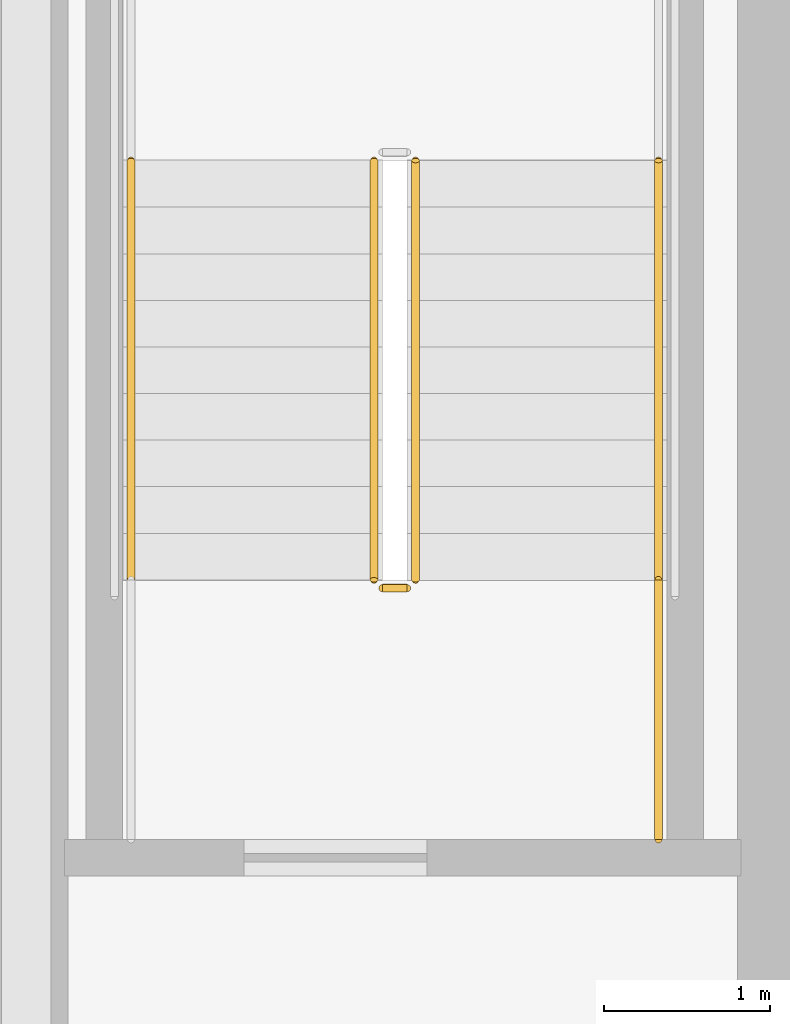
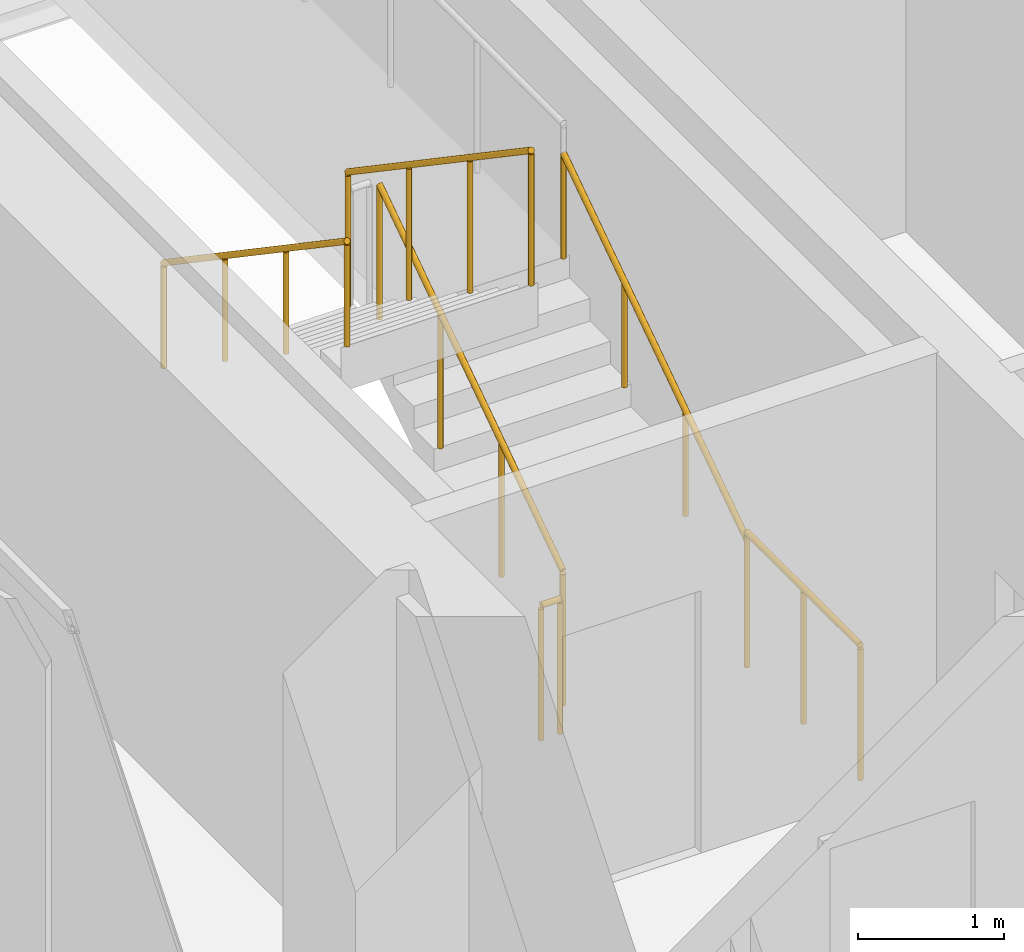
# One storey, part 14 of 17: 6 railings.
"""IFC4 building model written with IfcOpenShell, lengths in metres."""

import ifcopenshell
import ifcopenshell.guid

model = None  # the IFC model being written
_history = None  # IfcOwnerHistory: only IFC2X3 demands one
_inside = {}  # id of a spatial element -> (the spatial element, [elements in it])
_under = {}  # id of a project, library or spatial element -> (it, [spatial elements below it])
_declared = {}  # id of a project -> (the project, [libraries it declares])
_typed = {}  # id of a type object -> (the type object, [elements of that type])
_made_of = {}  # id of a material, layer set ... -> (it, [elements and type objects made of it])


def new_model(schema):
    """Start an empty IFC model of exactly this schema.

    Asked for "IFC4X3", IfcOpenShell would pick the latest addendum, in which some entities
    have other attributes; the version numbers below select the first issue.
    IFC2X3 requires an IfcOwnerHistory on every rooted entity: one is made here for all.
    """
    global model, _history
    if schema == "IFC4X3":
        model = ifcopenshell.file(schema_version=(4, 3, 0, 0))
    else:
        model = ifcopenshell.file(schema=schema)
    _inside.clear()
    _under.clear()
    _declared.clear()
    _typed.clear()
    _made_of.clear()
    _history = None
    if model.schema == "IFC2X3":
        org = make("IfcOrganization", Name="unknown")
        user = make(
            "IfcPersonAndOrganization",
            ThePerson=make("IfcPerson", FamilyName="unknown"),
            TheOrganization=org,
        )
        app = make(
            "IfcApplication",
            ApplicationDeveloper=org,
            Version="unknown",
            ApplicationFullName="unknown",
            ApplicationIdentifier="unknown",
        )
        _history = make(
            "IfcOwnerHistory",
            OwningUser=user,
            OwningApplication=app,
            ChangeAction="ADDED",
            CreationDate=0,
        )
    return model


def make(cls, **values):
    """One entity of the class cls with the attributes given. An attribute that is None is left unset."""
    return model.create_entity(
        cls, **{name: value for name, value in values.items() if value is not None}
    )


def rooted(cls, **values):
    """An entity with a GlobalId (a new one), such as an element, a storey or a relation."""
    return make(cls, GlobalId=ifcopenshell.guid.new(), OwnerHistory=_history, **values)


def si_unit(unit_type, name, prefix=None):
    """IfcSIUnit, for example si_unit("LENGTHUNIT", "METRE", prefix="MILLI")."""
    return make("IfcSIUnit", UnitType=unit_type, Prefix=prefix, Name=name)


def assignment(units):
    """IfcUnitAssignment: the units of a project."""
    return None if units is None else make("IfcUnitAssignment", Units=units)


def point(xyz):
    """IfcCartesianPoint."""
    return None if xyz is None else make("IfcCartesianPoint", Coordinates=xyz)


def direction(xyz):
    """IfcDirection."""
    return None if xyz is None else make("IfcDirection", DirectionRatios=xyz)


def frame(location, z_axis=None, x_axis=None):
    """IfcAxis2Placement3D, a coordinate frame: its origin and axes. An axis left out is left unset."""
    return make(
        "IfcAxis2Placement3D",
        Location=point(location),
        Axis=direction(z_axis),
        RefDirection=direction(x_axis),
    )


def frame_2d(location, x_axis=None):
    """IfcAxis2Placement2D, a coordinate frame in the plane: its origin and x axis."""
    return make(
        "IfcAxis2Placement2D", Location=point(location), RefDirection=direction(x_axis)
    )


def origin():
    """The frame at (0, 0, 0) with its axes left unset."""
    return frame((0.0, 0.0, 0.0))


def origin_2d():
    """The frame at (0, 0) in the plane with its x axis left unset."""
    return frame_2d((0.0, 0.0))


def place(relative_to, where):
    """IfcLocalPlacement: puts the frame where relative to a parent placement (None: the world)."""
    return make(
        "IfcLocalPlacement", PlacementRelTo=relative_to, RelativePlacement=where
    )


def context(
    kind, dimensions, precision=None, world=None, true_north=None, identifier=None
):
    """IfcGeometricRepresentationContext, for example the 3D "Model" context."""
    return make(
        "IfcGeometricRepresentationContext",
        ContextIdentifier=identifier,
        ContextType=kind,
        CoordinateSpaceDimension=dimensions,
        Precision=precision,
        WorldCoordinateSystem=world,
        TrueNorth=true_north,
    )


def subcontext(parent, identifier, kind, view, scale=None):
    """IfcGeometricRepresentationSubContext, for example "Body" below "Model"."""
    return make(
        "IfcGeometricRepresentationSubContext",
        ContextIdentifier=identifier,
        ContextType=kind,
        ParentContext=parent,
        TargetScale=scale,
        TargetView=view,
    )


def project(units=None, contexts=None):
    """IfcProject with its units and contexts."""
    return rooted(
        "IfcProject",
        Name="project",
        RepresentationContexts=contexts,
        UnitsInContext=assignment(units),
    )


def spatial(cls, under=None, at=None, **own):
    """A site, building, storey or space (cls), placed at a placement, below another one or the project."""
    s = rooted(cls, ObjectPlacement=at, **own)
    if under is not None:
        _under.setdefault(under.id(), (under, []))[1].append(s)
    return s


def profile(cls, at=None, kind="AREA", **sizes):
    """A parametric profile (cls). Its sizes go by their IFC names, for example OverallWidth=200.0."""
    return make(cls, ProfileType=kind, Position=at, **sizes)


def circle(**sizes):
    """IfcCircleProfileDef."""
    return profile("IfcCircleProfileDef", **sizes)


def extrude(swept, where, along, depth):
    """IfcExtrudedAreaSolid: the profile swept, set in the frame where, extruded along a direction by depth."""
    return make(
        "IfcExtrudedAreaSolid",
        SweptArea=swept,
        Position=where,
        ExtrudedDirection=direction(along),
        Depth=depth,
    )


def shape(context_of_items, identifier, shape_type, items):
    """IfcShapeRepresentation: the items that make up one representation, for example the "Body"."""
    return make(
        "IfcShapeRepresentation",
        ContextOfItems=context_of_items,
        RepresentationIdentifier=identifier,
        RepresentationType=shape_type,
        Items=items,
    )


def material(Name=None, Category=None):
    """IfcMaterial."""
    return make("IfcMaterial", Name=Name, Category=Category)


def made_of(thing, what):
    """Note that an element or type object is made of a material, layer set ...; save() writes the relation."""
    if what is not None:
        _made_of.setdefault(what.id(), (what, []))[1].append(thing)
    return thing


def type_object(cls, material=None, **own):
    """A type object (cls), such as IfcWallType, which elements share."""
    return made_of(rooted(cls, **own), material)


def element(
    cls,
    number,
    at=None,
    inside=None,
    cuts=None,
    type_object=None,
    material=None,
    context=None,
    identifier="Body",
    shape_type=None,
    held_by="IfcProductDefinitionShape",
    body=None,
    shapes=None,
    **own,
):
    """One element of the class cls, such as IfcWall. Its Tag is "e" and its number.

    at: its placement. inside: the storey or other place that contains it. cuts: it is an
    opening in that element (IfcRelVoidsElement). A single representation is given by context,
    identifier, shape_type and body (its items); several are given by shapes. held_by: the class
    of the entity that holds the representations. save() writes the other relations.
    """
    e = rooted(cls, Tag="e%d" % number, ObjectPlacement=at, **own)
    if body is not None:
        shapes = [shape(context, identifier, shape_type, body)]
    if shapes is not None:
        e.Representation = make(held_by, Representations=shapes)
    if inside is not None:
        _inside.setdefault(inside.id(), (inside, []))[1].append(e)
    if cuts is not None:
        rooted(
            "IfcRelVoidsElement", RelatingBuildingElement=cuts, RelatedOpeningElement=e
        )
    if type_object is not None:
        _typed.setdefault(type_object.id(), (type_object, []))[1].append(e)
    return made_of(e, material)


def aggregate(whole, parts):
    """IfcRelAggregates: a whole, such as a stair, and the parts it consists of."""
    return rooted("IfcRelAggregates", RelatingObject=whole, RelatedObjects=parts)


def save(model, path):
    """Write the relations noted so far, then the file.

    IfcRelAggregates (storeys below a building ...), IfcRelContainedInSpatialStructure (elements
    in a storey), IfcRelDefinesByType, IfcRelAssociatesMaterial and IfcRelDeclares: one each for
    every whole, place, type object, material and project.
    """
    for whole, parts in _under.values():
        aggregate(whole, parts)
    for where, things in _inside.values():
        rooted(
            "IfcRelContainedInSpatialStructure",
            RelatedElements=things,
            RelatingStructure=where,
        )
    for kind, things in _typed.values():
        rooted("IfcRelDefinesByType", RelatedObjects=things, RelatingType=kind)
    for what, things in _made_of.values():
        rooted("IfcRelAssociatesMaterial", RelatedObjects=things, RelatingMaterial=what)
    for by, libraries in _declared.values():
        rooted("IfcRelDeclares", RelatingContext=by, RelatedDefinitions=libraries)
    model.write(path)


model = new_model("IFC4")

# Units and contexts
model_context = context("Model", 3, precision=1e-05, world=origin(), true_north=direction((0.0, 1.0)))
body_context = subcontext(model_context, "Body", "Model", "MODEL_VIEW")
ifc_project = project(units=[si_unit("LENGTHUNIT", "METRE"), si_unit("AREAUNIT", "SQUARE_METRE"), si_unit("VOLUMEUNIT", "CUBIC_METRE"), si_unit("PLANEANGLEUNIT", "RADIAN"), si_unit("MASSUNIT", "GRAM", prefix="KILO")], contexts=[model_context])

# Site, building, storey
site_placement = place(None, origin())
site = spatial("IfcSite", under=ifc_project, at=site_placement, CompositionType="ELEMENT")
building_placement = place(site_placement, origin())
building = spatial("IfcBuilding", under=site, at=building_placement, Name="Khairoan Windgate Tower", CompositionType="ELEMENT")
storey_placement = place(building_placement, frame((0.0, 0.0, 165.0)))
storey = spatial("IfcBuildingStorey", under=building, at=storey_placement, Name="L37", CompositionType="ELEMENT", Elevation=165.0)

# Railings
ifc_material_1 = material(Name="Anodised Bronze Aluminium 6063-T6", Category="aluminium")
railing_type_1 = type_object("IfcRailingType", Name="Stair Wall Handrail SHR-900", PredefinedType="HANDRAIL", material=ifc_material_1)
railing_1_placement = place(storey_placement, frame((-16.199951171875, 2.9599609375, 0.18994140625)))
element("IfcRailing", 1, at=railing_1_placement, inside=storey, type_object=railing_type_1, Name="L37 ST2 stair handrail 1", PredefinedType="HANDRAIL", context=body_context, shape_type="SweptSolid", body=[
    extrude(circle(Radius=0.02392578125, at=origin_2d()), frame((0.0, 0.0, 0.8759765625), z_axis=(0.0, 0.827483756001, 0.561489655786), x_axis=(-1.0, 0.0, 0.0)), (0.0, 0.0, 1.0), 3.04541015625),
    extrude(circle(Radius=0.02099609375, at=origin_2d()), origin(), (0.0, 0.0, 1.0), 0.851806640625),
    extrude(circle(Radius=0.02099609375, at=origin_2d()), frame((0.0, 0.840087890625, 0.570068359375)), (0.0, 0.0, 1.0), 0.851806640625),
    extrude(circle(Radius=0.02099609375, at=origin_2d()), frame((0.0, 1.679931640625, 1.139892578125)), (0.0, 0.0, 1.0), 0.851806640625),
    extrude(circle(Radius=0.02099609375, at=origin_2d()), frame((0.0, 2.52001953125, 1.7099609375)), (0.0, 0.0, 1.0), 0.851806640625),
])
railing_2_placement = place(storey_placement, frame((-19.3701171875, 5.47998046875, 2.090087890625)))
element("IfcRailing", 2, at=railing_2_placement, inside=storey, type_object=railing_type_1, Name="L37 ST2 stair handrail 2", PredefinedType="HANDRAIL", context=body_context, shape_type="SweptSolid", body=[
    extrude(circle(Radius=0.02392578125, at=origin_2d()), frame((0.0, 0.0, 0.8759765625), z_axis=(0.0, -0.827483756001, 0.561489655786), x_axis=(1.0, 0.0, 0.0)), (0.0, 0.0, 1.0), 3.04541015625),
    extrude(circle(Radius=0.02099609375, at=origin_2d()), origin(), (0.0, 0.0, 1.0), 0.851806640625),
    extrude(circle(Radius=0.02099609375, at=origin_2d()), frame((0.0, -0.840087890625, 0.570068359375)), (0.0, 0.0, 1.0), 0.851806640625),
    extrude(circle(Radius=0.02099609375, at=origin_2d()), frame((0.0, -1.679931640625, 1.139892578125)), (0.0, 0.0, 1.0), 0.851806640625),
    extrude(circle(Radius=0.02099609375, at=origin_2d()), frame((0.0, -2.52001953125, 1.7099609375)), (0.0, 0.0, 1.0), 0.851806640625),
])
ifc_material_2 = material(Name="Steel S355", Category="steel")
railing_type_2 = type_object("IfcRailingType", Name="Stairwell Safety Guardrail SGR-1150", PredefinedType="GUARDRAIL", material=ifc_material_2)
railing_3_placement = place(storey_placement, frame((-17.659912109375, 2.9599609375, 0.18994140625)))
element("IfcRailing", 3, at=railing_3_placement, inside=storey, type_object=railing_type_2, Name="L37 ST2 stair guard 1", PredefinedType="GUARDRAIL", context=body_context, shape_type="SweptSolid", body=[
    extrude(circle(Radius=0.02392578125, at=origin_2d()), frame((0.0, 0.0, 1.1259765625), z_axis=(0.0, 0.827483756001, 0.561489655786), x_axis=(-1.0, 0.0, 0.0)), (0.0, 0.0, 1.0), 3.04541015625),
    extrude(circle(Radius=0.02099609375, at=origin_2d()), origin(), (0.0, 0.0, 1.0), 1.101806640625),
    extrude(circle(Radius=0.02099609375, at=origin_2d()), frame((0.0, 0.840087890625, 0.570068359375)), (0.0, 0.0, 1.0), 1.101806640625),
    extrude(circle(Radius=0.02099609375, at=origin_2d()), frame((0.0, 1.679931640625, 1.139892578125)), (0.0, 0.0, 1.0), 1.101806640625),
    extrude(circle(Radius=0.02099609375, at=origin_2d()), frame((0.0, 2.52001953125, 1.7099609375)), (0.0, 0.0, 1.0), 1.101806640625),
])
railing_4_placement = place(storey_placement, frame((-17.909912109375, 5.47998046875, 2.090087890625)))
element("IfcRailing", 4, at=railing_4_placement, inside=storey, type_object=railing_type_2, Name="L37 ST2 stair guard 6", PredefinedType="GUARDRAIL", context=body_context, shape_type="SweptSolid", body=[
    extrude(circle(Radius=0.02392578125, at=origin_2d()), frame((0.0, 0.0, 1.1259765625), z_axis=(0.0, -0.827483756001, 0.561489655786), x_axis=(1.0, 0.0, 0.0)), (0.0, 0.0, 1.0), 3.04541015625),
    extrude(circle(Radius=0.02099609375, at=origin_2d()), origin(), (0.0, 0.0, 1.0), 1.101806640625),
    extrude(circle(Radius=0.02099609375, at=origin_2d()), frame((0.0, -0.840087890625, 0.570068359375)), (0.0, 0.0, 1.0), 1.101806640625),
    extrude(circle(Radius=0.02099609375, at=origin_2d()), frame((0.0, -1.679931640625, 1.139892578125)), (0.0, 0.0, 1.0), 1.101806640625),
    extrude(circle(Radius=0.02099609375, at=origin_2d()), frame((0.0, -2.52001953125, 1.7099609375)), (0.0, 0.0, 1.0), 1.101806640625),
])
railing_5_placement = place(storey_placement, frame((-17.7099609375, 2.909912109375, 0.0)))
element("IfcRailing", 5, at=railing_5_placement, inside=storey, type_object=railing_type_2, Name="L37 ST2 stair guard 7", PredefinedType="GUARDRAIL", context=body_context, shape_type="SweptSolid", body=[
    extrude(circle(Radius=0.02392578125, at=origin_2d()), frame((0.0, 0.0, 1.1259765625), z_axis=(-1.0, 0.0, 0.0), x_axis=(0.0, -1.0, 0.0)), (0.0, 0.0, 1.0), 0.150146484375),
    extrude(circle(Radius=0.02099609375, at=origin_2d()), origin(), (0.0, 0.0, 1.0), 1.101806640625),
    extrude(circle(Radius=0.02099609375, at=origin_2d()), frame((-0.150146484375, 0.0, 0.0)), (0.0, 0.0, 1.0), 1.101806640625),
])
railing_6_placement = place(storey_placement, frame((-16.199951171875, 1.39990234375, 0.0)))
element("IfcRailing", 6, at=railing_6_placement, inside=storey, type_object=railing_type_2, Name="L37 ST2 stair guard 8", PredefinedType="GUARDRAIL", context=body_context, shape_type="SweptSolid", body=[
    extrude(circle(Radius=0.02392578125, at=origin_2d()), frame((0.0, 0.0, 1.1259765625), z_axis=(0.0, 1.0, 0.0), x_axis=(-1.0, 0.0, 0.0)), (0.0, 0.0, 1.0), 1.56005859375),
    extrude(circle(Radius=0.02099609375, at=origin_2d()), origin(), (0.0, 0.0, 1.0), 1.101806640625),
    extrude(circle(Radius=0.02099609375, at=origin_2d()), frame((0.0, 0.780029296875, 0.0)), (0.0, 0.0, 1.0), 1.101806640625),
    extrude(circle(Radius=0.02099609375, at=origin_2d()), frame((0.0, 1.56005859375, 0.0)), (0.0, 0.0, 1.0), 1.101806640625),
])

save(model, "model.ifc")
